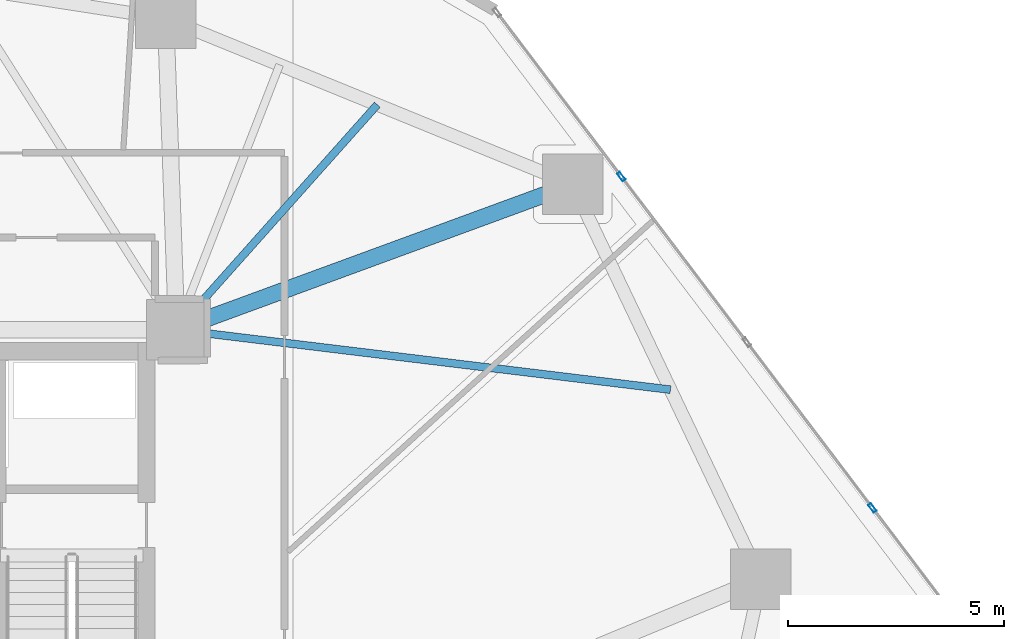
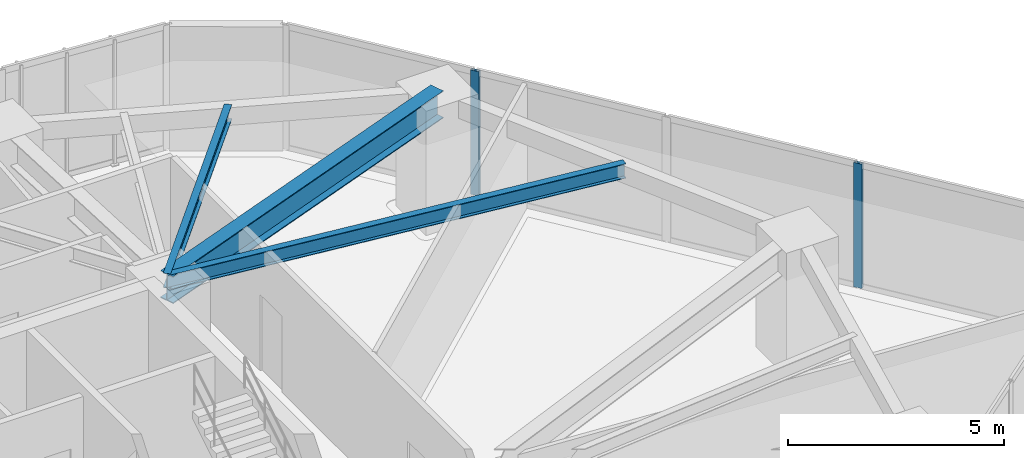
# One storey, part 12 of 23: 3 beams, 2 members, 1 element without a shape of its own.
"""IFC4 building model written with IfcOpenShell, lengths in metres."""

from ifc_helpers import new_model, si_unit, direction, frame, origin, origin_2d, place, context, subcontext, project, spatial, hollow_rectangle, i_section, extrude, source, transform, mapped, material, layer, layer_set, material_profile, profile_set, type_object, type_shapes, element, aggregate, save


model = new_model("IFC4")

# Units and contexts
model_context = context("Model", 3, precision=1e-05, world=origin(), true_north=direction((0.0, 1.0)))
body_context = subcontext(model_context, "Body", "Model", "MODEL_VIEW")
ifc_project = project(units=[si_unit("LENGTHUNIT", "METRE"), si_unit("AREAUNIT", "SQUARE_METRE"), si_unit("VOLUMEUNIT", "CUBIC_METRE"), si_unit("PLANEANGLEUNIT", "RADIAN"), si_unit("MASSUNIT", "GRAM", prefix="KILO")], contexts=[model_context])

# Site, building, storey
site_placement = place(None, origin())
site = spatial("IfcSite", under=ifc_project, at=site_placement, CompositionType="ELEMENT")
building_placement = place(site_placement, origin())
building = spatial("IfcBuilding", under=site, at=building_placement, Name="Talar Marvaseh", CompositionType="ELEMENT")
storey_placement = place(building_placement, frame((0.0, 0.0, 77.199951171875)))
storey = spatial("IfcBuildingStorey", under=building, at=storey_placement, Name="L19", CompositionType="ELEMENT", Elevation=77.199951171875)

# Beams
ifc_material_1 = material(Name="Steel S355", Category="steel")
ifc_material_profile_1 = material_profile(ifc_material_1, i_section(OverallWidth=0.381103515625, OverallDepth=0.77294921875, WebThickness=0.0166015625, FlangeThickness=0.027099609375, at=origin_2d()), Name="W760x257")
ifc_profile_set_1 = profile_set([ifc_material_profile_1], Name="Steel S355")
beam_type_1 = type_object("IfcBeamType", Name="Zone 1 Radial Floor Girder W760x257", PredefinedType="BEAM", material=ifc_profile_set_1)
beam_1_placement = place(storey_placement, frame((42.47705078125, 40.26904296875, 3.133544921875), z_axis=(-0.938736057616, -0.344636930887, 0.0), x_axis=(0.344636930887, -0.938736057616, 0.0)))
element("IfcBeam", 1, at=beam_1_placement, inside=storey, type_object=beam_type_1, Name="L19 Zone 1 Radial Floor Girder W760x257", PredefinedType="BEAM", context=body_context, shape_type="SweptSolid", body=[
    extrude(i_section(OverallWidth=0.381103515625, OverallDepth=0.77294921875, WebThickness=0.0166015625, FlangeThickness=0.027099609375, at=origin_2d()), origin(), (0.0, 0.0, 1.0), 9.77587890625),
])
ifc_material_profile_2 = material_profile(ifc_material_1, i_section(OverallWidth=0.179931640625, OverallDepth=0.4130859375, WebThickness=0.009765625, FlangeThickness=0.01611328125, at=origin_2d()), Name="W410x75")
ifc_profile_set_2 = profile_set([ifc_material_profile_2], Name="Steel S355")
beam_type_2 = type_object("IfcBeamType", Name="Zone 1 Secondary Floor Joist W410x75", PredefinedType="JOIST", material=ifc_profile_set_2)
beam_2_placement = place(storey_placement, frame((44.746337890625, 35.510986328125, 3.3134765625), z_axis=(-0.99271836771, 0.120458467577, 0.0), x_axis=(-0.120458467577, -0.99271836771, 0.0)))
element("IfcBeam", 2, at=beam_2_placement, inside=storey, type_object=beam_type_2, Name="L19 Zone 1 Secondary Floor Joist W410x75", PredefinedType="JOIST", context=body_context, shape_type="SweptSolid", body=[
    extrude(i_section(OverallWidth=0.179931640625, OverallDepth=0.4130859375, WebThickness=0.009765625, FlangeThickness=0.01611328125, at=origin_2d()), origin(), (0.0, 0.0, 1.0), 11.5302734375),
])
beam_3_placement = place(storey_placement, frame((37.9501953125, 42.116455078125, 3.3134765625), z_axis=(-0.665419195859, -0.746469888062, 0.0), x_axis=(0.746469888062, -0.665419195859, 0.0)))
element("IfcBeam", 3, at=beam_3_placement, inside=storey, type_object=beam_type_2, Name="L19 Zone 1 Secondary Floor Joist W410x75", PredefinedType="JOIST", context=body_context, shape_type="SweptSolid", body=[
    extrude(i_section(OverallWidth=0.179931640625, OverallDepth=0.4130859375, WebThickness=0.009765625, FlangeThickness=0.01611328125, at=origin_2d()), origin(), (0.0, 0.0, 1.0), 6.98828125),
])

# Curtain wall, members
ifc_material_2 = material(Name="Architectural Aluminium", Category="aluminium")
ifc_layer = layer(ifc_material_2, 0.219970703125)
ifc_layer_set = layer_set([ifc_layer], Name="Architectural Aluminium")
curtain_wall_type = type_object("IfcCurtainWallType", Name="Unitised Low-E Museum Curtain Wall Z1", PredefinedType="NOTDEFINED", material=ifc_layer_set)
curtain_wall_placement = place(storey_placement, origin())
curtain_wall = element("IfcCurtainWall", 4, at=curtain_wall_placement, inside=storey, type_object=curtain_wall_type, Name="L19 Unitised Low-E Museum Curtain Wall Z1", PredefinedType="NOTDEFINED")
ifc_material_profile_3 = material_profile(ifc_material_2, hollow_rectangle(XDim=0.080078125, YDim=0.219970703125, WallThickness=0.0048828125, at=origin_2d()), Name="RHS220x80x5")
ifc_profile_set_3 = profile_set([ifc_material_profile_3], Name="Architectural Aluminium")
member_type = type_object("IfcMemberType", Name="Unitised Curtain Wall Heavy Mullion RHS220x80x5", PredefinedType="MULLION", material=ifc_profile_set_3)
shared_shape = source(origin(), body_context, "Body", "SweptSolid", [
    extrude(hollow_rectangle(XDim=0.080078125, YDim=0.219970703125, WallThickness=0.0048828125, at=origin_2d()), origin(), (0.0, 0.0, 1.0), 3.52001953125),
])
type_shapes(member_type, [shared_shape])
member_1_placement = place(storey_placement, frame((43.607177734375, 40.4501953125, 0.0), z_axis=(0.0, 0.0, 1.0), x_axis=(0.797015451758, 0.603958913884, 0.0)))
member_1 = element("IfcMember", 5, at=member_1_placement, type_object=member_type, Name="CW-Z1 mullion 2", PredefinedType="MULLION", context=body_context, shape_type="MappedRepresentation", body=[
    mapped(shared_shape, transform((0.0, 0.0, 0.0), x_axis=(1.0, 0.0, 0.0), y_axis=(0.0, 1.0, 0.0), z_axis=(0.0, 0.0, 1.0), scale=1.0)),
])
member_2_placement = place(storey_placement, frame((49.42529296875, 32.772216796875, 0.0), z_axis=(0.0, 0.0, 1.0), x_axis=(0.797015451758, 0.603958913884, 0.0)))
member_2 = element("IfcMember", 6, at=member_2_placement, type_object=member_type, Name="CW-Z1 mullion 4", PredefinedType="MULLION", context=body_context, shape_type="MappedRepresentation", body=[
    mapped(shared_shape, transform((0.0, 0.0, 0.0), x_axis=(1.0, 0.0, 0.0), y_axis=(0.0, 1.0, 0.0), z_axis=(0.0, 0.0, 1.0), scale=1.0)),
])
aggregate(curtain_wall, [member_1, member_2])

save(model, "model.ifc")
